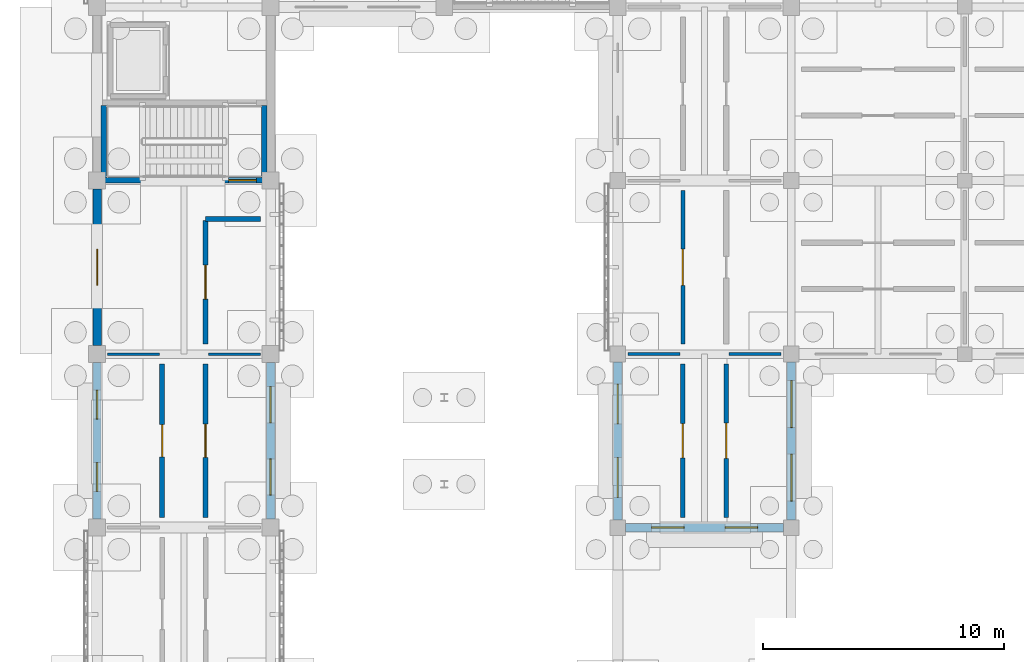
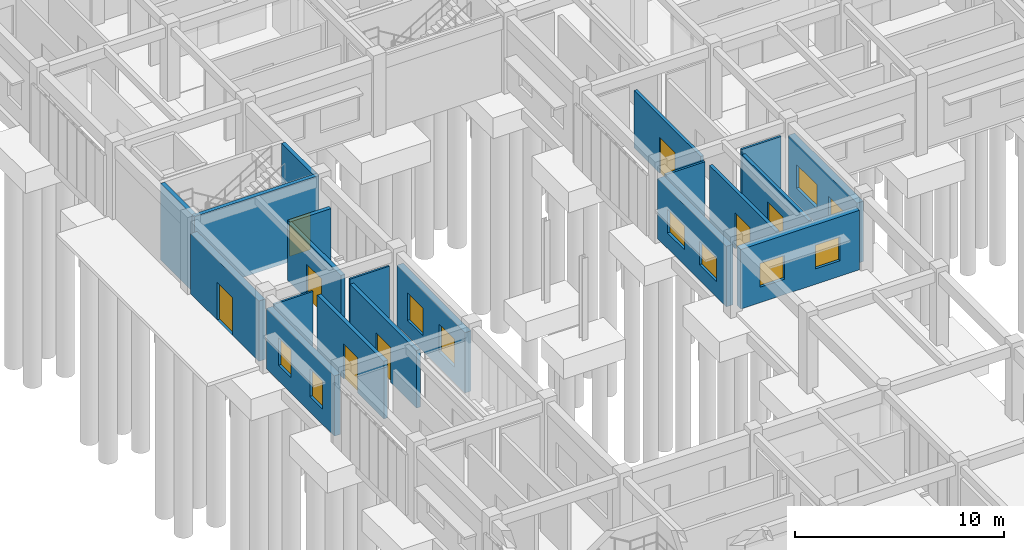
# One storey, part 66 of 111: 20 walls, 10 windows, 8 doors, 18 openings.
"""IFC4 building model written with IfcOpenShell, lengths in metres."""

from ifc_helpers import new_model, si_unit, direction, frame, frame_2d, origin, place, context, subcontext, project, spatial, rectangle, extrude, material, layer, layer_set, type_object, element, fill, save


model = new_model("IFC4")

# Units and contexts
model_context = context("Model", 3, precision=1e-05, world=origin(), true_north=direction((0.0, 1.0)))
body_context = subcontext(model_context, "Body", "Model", "MODEL_VIEW")
ifc_project = project(units=[si_unit("LENGTHUNIT", "METRE"), si_unit("AREAUNIT", "SQUARE_METRE"), si_unit("VOLUMEUNIT", "CUBIC_METRE"), si_unit("PLANEANGLEUNIT", "RADIAN"), si_unit("MASSUNIT", "GRAM", prefix="KILO")], contexts=[model_context])

# Site, building, storey
site_placement = place(None, origin())
site = spatial("IfcSite", under=ifc_project, at=site_placement, CompositionType="ELEMENT")
building_placement = place(site_placement, origin())
building = spatial("IfcBuilding", under=site, at=building_placement, Name="Aldebral Square Health Centre", CompositionType="ELEMENT")
storey_placement = place(building_placement, origin())
storey = spatial("IfcBuildingStorey", under=building, at=storey_placement, Name="L00", CompositionType="ELEMENT", Elevation=0.0)

# Wall, openings, windows
ifc_material_1 = material(Name="Cream cantera stone and concrete wall C35/45", Category="masonry")
ifc_layer_1 = layer(ifc_material_1, 0.340087890625, Name="Cream cantera stone and concrete wall C35/45", Category="masonry")
ifc_layer_set_1 = layer_set([ifc_layer_1], Name="Cream cantera stone and concrete wall C35/45")
wall_type_1 = type_object("IfcWallType", Name="EW-CAN-340", PredefinedType="SOLIDWALL", material=ifc_layer_set_1)
wall_1_placement = place(storey_placement, frame((0.0, 86.050048828125, 0.0), z_axis=(0.0, 0.0, 1.0), x_axis=(0.0, -1.0, 0.0)))
wall_1 = element("IfcWall", 1, at=wall_1_placement, inside=storey, type_object=wall_type_1, Name="L00 V4 exterior wall L00-V4-00-11-W", PredefinedType="SOLIDWALL", context=body_context, shape_type="SweptSolid", body=[
    extrude(rectangle(XDim=6.5, YDim=0.340087890625, at=frame_2d((3.25, 0.0))), origin(), (0.0, 0.0, 1.0), 3.52001953125),
])
opening_1_placement = place(wall_1_placement, frame((1.14990234375, 0.0, 0.89990234375)))
opening_1 = element("IfcOpeningElement", 2, at=opening_1_placement, cuts=wall_1, Name="Opening W30", PredefinedType="OPENING", context=body_context, shape_type="SweptSolid", body=[
    extrude(rectangle(XDim=1.199951171875, YDim=1.6201171875, at=frame_2d((0.60009765625, 0.81005859375))), frame((0.0, 0.18017578125, 0.0), z_axis=(0.0, -1.0, 0.0), x_axis=(1.0, 0.0, 0.0)), (0.0, 0.0, 1.0), 0.360107421875),
])
opening_2_placement = place(wall_1_placement, frame((4.14990234375, 0.0, 0.89990234375)))
opening_2 = element("IfcOpeningElement", 3, at=opening_2_placement, cuts=wall_1, Name="Opening W30", PredefinedType="OPENING", context=body_context, shape_type="SweptSolid", body=[
    extrude(rectangle(XDim=1.199951171875, YDim=1.6201171875, at=frame_2d((0.60009765625, 0.81005859375))), frame((0.0, 0.18017578125, 0.0), z_axis=(0.0, -1.0, 0.0), x_axis=(1.0, 0.0, 0.0)), (0.0, 0.0, 1.0), 0.360107421875),
])
ifc_material_2 = material(Name="Thermally broken aluminium and low-E glass", Category="aluminium")
window_type_1 = type_object("IfcWindowType", Name="WIN-W30", PartitioningType="SINGLE_PANEL", PredefinedType="WINDOW", material=ifc_material_2)
window_1_placement = place(opening_1_placement, origin())
window_1 = element("IfcWindow", 4, at=window_1_placement, inside=storey, type_object=window_type_1, Name="L00 clinical window L00-V4-00-11-W.1", OverallHeight=1.6201171875, OverallWidth=1.199951171875, PartitioningType="SINGLE_PANEL", PredefinedType="WINDOW", context=body_context, shape_type="SweptSolid", body=[
    extrude(rectangle(XDim=1.199951171875, YDim=1.6201171875, at=frame_2d((0.60009765625, 0.81005859375))), frame((0.0, 0.030029296875, 0.0), z_axis=(0.0, -1.0, 0.0), x_axis=(1.0, 0.0, 0.0)), (0.0, 0.0, 1.0), 0.06005859375),
])
fill(opening_1, window_1)
window_2_placement = place(opening_2_placement, origin())
window_2 = element("IfcWindow", 5, at=window_2_placement, inside=storey, type_object=window_type_1, Name="L00 clinical window L00-V4-00-11-W.2", OverallHeight=1.6201171875, OverallWidth=1.199951171875, PartitioningType="SINGLE_PANEL", PredefinedType="WINDOW", context=body_context, shape_type="SweptSolid", body=[
    extrude(rectangle(XDim=1.199951171875, YDim=1.6201171875, at=frame_2d((0.60009765625, 0.81005859375))), frame((0.0, 0.030029296875, 0.0), z_axis=(0.0, -1.0, 0.0), x_axis=(1.0, 0.0, 0.0)), (0.0, 0.0, 1.0), 0.06005859375),
])
fill(opening_2, window_2)

wall_2_placement = place(storey_placement, frame((7.199951171875, 79.550048828125, 0.0), z_axis=(0.0, 0.0, 1.0), x_axis=(0.0, 1.0, 0.0)))
wall_2 = element("IfcWall", 6, at=wall_2_placement, inside=storey, type_object=wall_type_1, Name="L00 V4 exterior wall L00-V4-00-11-E", PredefinedType="SOLIDWALL", context=body_context, shape_type="SweptSolid", body=[
    extrude(rectangle(XDim=6.5, YDim=0.340087890625, at=frame_2d((3.25, 0.0))), origin(), (0.0, 0.0, 1.0), 3.52001953125),
])
opening_3_placement = place(wall_2_placement, frame((1.0, 0.0, 0.89990234375)))
opening_3 = element("IfcOpeningElement", 7, at=opening_3_placement, cuts=wall_2, Name="Opening W32", PredefinedType="OPENING", context=body_context, shape_type="SweptSolid", body=[
    extrude(rectangle(XDim=1.5, YDim=1.6201171875, at=frame_2d((0.75, 0.81005859375))), frame((0.0, 0.18017578125, 0.0), z_axis=(0.0, -1.0, 0.0), x_axis=(1.0, 0.0, 0.0)), (0.0, 0.0, 1.0), 0.360107421875),
])
opening_4_placement = place(wall_2_placement, frame((4.0, 0.0, 0.89990234375)))
opening_4 = element("IfcOpeningElement", 8, at=opening_4_placement, cuts=wall_2, Name="Opening W32", PredefinedType="OPENING", context=body_context, shape_type="SweptSolid", body=[
    extrude(rectangle(XDim=1.5, YDim=1.6201171875, at=frame_2d((0.75, 0.81005859375))), frame((0.0, 0.18017578125, 0.0), z_axis=(0.0, -1.0, 0.0), x_axis=(1.0, 0.0, 0.0)), (0.0, 0.0, 1.0), 0.360107421875),
])
window_type_2 = type_object("IfcWindowType", Name="WIN-W32", PartitioningType="SINGLE_PANEL", PredefinedType="WINDOW", material=ifc_material_2)
window_3_placement = place(opening_3_placement, origin())
window_3 = element("IfcWindow", 9, at=window_3_placement, inside=storey, type_object=window_type_2, Name="L00 clinical window L00-V4-00-11-E.1", OverallHeight=1.6201171875, OverallWidth=1.5, PartitioningType="SINGLE_PANEL", PredefinedType="WINDOW", context=body_context, shape_type="SweptSolid", body=[
    extrude(rectangle(XDim=1.5, YDim=1.6201171875, at=frame_2d((0.75, 0.81005859375))), frame((0.0, 0.030029296875, 0.0), z_axis=(0.0, -1.0, 0.0), x_axis=(1.0, 0.0, 0.0)), (0.0, 0.0, 1.0), 0.06005859375),
])
fill(opening_3, window_3)
window_4_placement = place(opening_4_placement, origin())
window_4 = element("IfcWindow", 10, at=window_4_placement, inside=storey, type_object=window_type_2, Name="L00 clinical window L00-V4-00-11-E.2", OverallHeight=1.6201171875, OverallWidth=1.5, PartitioningType="SINGLE_PANEL", PredefinedType="WINDOW", context=body_context, shape_type="SweptSolid", body=[
    extrude(rectangle(XDim=1.5, YDim=1.6201171875, at=frame_2d((0.75, 0.81005859375))), frame((0.0, 0.030029296875, 0.0), z_axis=(0.0, -1.0, 0.0), x_axis=(1.0, 0.0, 0.0)), (0.0, 0.0, 1.0), 0.06005859375),
])
fill(opening_4, window_4)

# Wall, opening, door
ifc_layer_2 = layer(ifc_material_1, 0.360107421875, Name="Cream cantera stone and concrete wall C35/45", Category="masonry")
ifc_layer_set_2 = layer_set([ifc_layer_2], Name="Cream cantera stone and concrete wall C35/45")
wall_type_2 = type_object("IfcWallType", Name="EW-CAN-360", PredefinedType="SOLIDWALL", material=ifc_layer_set_2)
wall_3_placement = place(storey_placement, frame((0.0, 86.75, 0.0), z_axis=(0.0, 0.0, 1.0), x_axis=(0.0, 1.0, 0.0)))
wall_3 = element("IfcWall", 11, at=wall_3_placement, inside=storey, type_object=wall_type_2, Name="L00 V4 exterior wall L00-V4-00-12-W", PredefinedType="SOLIDWALL", context=body_context, shape_type="SweptSolid", body=[
    extrude(rectangle(XDim=6.5, YDim=0.360107421875, at=frame_2d((3.25, 0.0))), origin(), (0.0, 0.0, 1.0), 3.52001953125),
])
opening_5_placement = place(wall_3_placement, frame((2.5, 0.0, 0.0)))
opening_5 = element("IfcOpeningElement", 12, at=opening_5_placement, cuts=wall_3, Name="Opening D-EX04", PredefinedType="OPENING", context=body_context, shape_type="SweptSolid", body=[
    extrude(rectangle(XDim=1.5, YDim=2.199951171875, at=frame_2d((0.75, 1.10009765625))), frame((0.0, 0.18994140625, 0.0), z_axis=(0.0, -1.0, 0.0), x_axis=(1.0, 0.0, 0.0)), (0.0, 0.0, 1.0), 0.380126953125),
])
ifc_material_3 = material(Name="Anodised aluminium and laminated safety glass", Category="aluminium")
door_type_1 = type_object("IfcDoorType", Name="DR-EX-150", OperationType="DOUBLE_DOOR_SINGLE_SWING", PredefinedType="DOOR", material=ifc_material_3)
door_1_placement = place(opening_5_placement, origin())
door_1 = element("IfcDoor", 13, at=door_1_placement, inside=storey, type_object=door_type_1, Name="L00 exterior door D-EX04", OperationType="DOUBLE_DOOR_SINGLE_SWING", OverallHeight=2.199951171875, OverallWidth=1.5, PredefinedType="DOOR", context=body_context, shape_type="SweptSolid", body=[
    extrude(rectangle(XDim=1.5, YDim=2.199951171875, at=frame_2d((0.75, 1.10009765625))), frame((0.0, 0.02490234375, 0.0), z_axis=(0.0, -1.0, 0.0), x_axis=(1.0, 0.0, 0.0)), (0.0, 0.0, 1.0), 0.050048828125),
])
fill(opening_5, door_1)

# Wall, openings, windows
wall_4_placement = place(storey_placement, frame((21.925048828125, 79.199951171875, 0.0), z_axis=(0.0, 0.0, 1.0), x_axis=(1.0, 0.0, 0.0)))
wall_4 = element("IfcWall", 14, at=wall_4_placement, inside=storey, type_object=wall_type_2, Name="L00 V4 exterior wall L00-V4-03-11-S", PredefinedType="SOLIDWALL", context=body_context, shape_type="SweptSolid", body=[
    extrude(rectangle(XDim=6.550048828125, YDim=0.360107421875, at=frame_2d((3.27490234375, 0.0))), origin(), (0.0, 0.0, 1.0), 3.469970703125),
])
opening_6_placement = place(wall_4_placement, frame((1.074951171875, 0.0, 0.89990234375)))
opening_6 = element("IfcOpeningElement", 15, at=opening_6_placement, cuts=wall_4, Name="Opening W13", PredefinedType="OPENING", context=body_context, shape_type="SweptSolid", body=[
    extrude(rectangle(XDim=1.35009765625, YDim=1.3798828125, at=frame_2d((0.675048828125, 0.68994140625))), frame((0.0, 0.18994140625, 0.0), z_axis=(0.0, -1.0, 0.0), x_axis=(1.0, 0.0, 0.0)), (0.0, 0.0, 1.0), 0.380126953125),
])
opening_7_placement = place(wall_4_placement, frame((4.125, 0.0, 0.89990234375)))
opening_7 = element("IfcOpeningElement", 16, at=opening_7_placement, cuts=wall_4, Name="Opening W13", PredefinedType="OPENING", context=body_context, shape_type="SweptSolid", body=[
    extrude(rectangle(XDim=1.35009765625, YDim=1.3798828125, at=frame_2d((0.675048828125, 0.68994140625))), frame((0.0, 0.18994140625, 0.0), z_axis=(0.0, -1.0, 0.0), x_axis=(1.0, 0.0, 0.0)), (0.0, 0.0, 1.0), 0.380126953125),
])
window_type_3 = type_object("IfcWindowType", Name="WIN-W13", PartitioningType="SINGLE_PANEL", PredefinedType="WINDOW", material=ifc_material_2)
window_5_placement = place(opening_6_placement, origin())
window_5 = element("IfcWindow", 17, at=window_5_placement, inside=storey, type_object=window_type_3, Name="L00 clinical window L00-V4-03-11-S.1", OverallHeight=1.3798828125, OverallWidth=1.35009765625, PartitioningType="SINGLE_PANEL", PredefinedType="WINDOW", context=body_context, shape_type="SweptSolid", body=[
    extrude(rectangle(XDim=1.35009765625, YDim=1.3798828125, at=frame_2d((0.675048828125, 0.68994140625))), frame((0.0, 0.030029296875, 0.0), z_axis=(0.0, -1.0, 0.0), x_axis=(1.0, 0.0, 0.0)), (0.0, 0.0, 1.0), 0.06005859375),
])
fill(opening_6, window_5)
window_6_placement = place(opening_7_placement, origin())
window_6 = element("IfcWindow", 18, at=window_6_placement, inside=storey, type_object=window_type_3, Name="L00 clinical window L00-V4-03-11-S.2", OverallHeight=1.3798828125, OverallWidth=1.35009765625, PartitioningType="SINGLE_PANEL", PredefinedType="WINDOW", context=body_context, shape_type="SweptSolid", body=[
    extrude(rectangle(XDim=1.35009765625, YDim=1.3798828125, at=frame_2d((0.675048828125, 0.68994140625))), frame((0.0, 0.030029296875, 0.0), z_axis=(0.0, -1.0, 0.0), x_axis=(1.0, 0.0, 0.0)), (0.0, 0.0, 1.0), 0.06005859375),
])
fill(opening_7, window_6)

wall_5_placement = place(storey_placement, frame((21.60009765625, 86.074951171875, 0.0), z_axis=(0.0, 0.0, 1.0), x_axis=(0.0, -1.0, 0.0)))
wall_5 = element("IfcWall", 19, at=wall_5_placement, inside=storey, type_object=wall_type_2, Name="L00 V4 exterior wall L00-V4-03-11-W", PredefinedType="SOLIDWALL", context=body_context, shape_type="SweptSolid", body=[
    extrude(rectangle(XDim=6.550048828125, YDim=0.360107421875, at=frame_2d((3.27490234375, 0.0))), origin(), (0.0, 0.0, 1.0), 3.52001953125),
])
opening_8_placement = place(wall_5_placement, frame((0.925048828125, 0.0, 0.89990234375)))
opening_8 = element("IfcOpeningElement", 20, at=opening_8_placement, cuts=wall_5, Name="Opening W15", PredefinedType="OPENING", context=body_context, shape_type="SweptSolid", body=[
    extrude(rectangle(XDim=1.64990234375, YDim=1.3798828125, at=frame_2d((0.824951171875, 0.68994140625))), frame((0.0, 0.18994140625, 0.0), z_axis=(0.0, -1.0, 0.0), x_axis=(1.0, 0.0, 0.0)), (0.0, 0.0, 1.0), 0.380126953125),
])
opening_9_placement = place(wall_5_placement, frame((3.97509765625, 0.0, 0.89990234375)))
opening_9 = element("IfcOpeningElement", 21, at=opening_9_placement, cuts=wall_5, Name="Opening W15", PredefinedType="OPENING", context=body_context, shape_type="SweptSolid", body=[
    extrude(rectangle(XDim=1.64990234375, YDim=1.3798828125, at=frame_2d((0.824951171875, 0.68994140625))), frame((0.0, 0.18994140625, 0.0), z_axis=(0.0, -1.0, 0.0), x_axis=(1.0, 0.0, 0.0)), (0.0, 0.0, 1.0), 0.380126953125),
])
window_type_4 = type_object("IfcWindowType", Name="WIN-W15", PartitioningType="SINGLE_PANEL", PredefinedType="WINDOW", material=ifc_material_2)
window_7_placement = place(opening_8_placement, origin())
window_7 = element("IfcWindow", 22, at=window_7_placement, inside=storey, type_object=window_type_4, Name="L00 clinical window L00-V4-03-11-W.1", OverallHeight=1.3798828125, OverallWidth=1.64990234375, PartitioningType="SINGLE_PANEL", PredefinedType="WINDOW", context=body_context, shape_type="SweptSolid", body=[
    extrude(rectangle(XDim=1.64990234375, YDim=1.3798828125, at=frame_2d((0.824951171875, 0.68994140625))), frame((0.0, 0.030029296875, 0.0), z_axis=(0.0, -1.0, 0.0), x_axis=(1.0, 0.0, 0.0)), (0.0, 0.0, 1.0), 0.06005859375),
])
fill(opening_8, window_7)
window_8_placement = place(opening_9_placement, origin())
window_8 = element("IfcWindow", 23, at=window_8_placement, inside=storey, type_object=window_type_4, Name="L00 clinical window L00-V4-03-11-W.2", OverallHeight=1.3798828125, OverallWidth=1.64990234375, PartitioningType="SINGLE_PANEL", PredefinedType="WINDOW", context=body_context, shape_type="SweptSolid", body=[
    extrude(rectangle(XDim=1.64990234375, YDim=1.3798828125, at=frame_2d((0.824951171875, 0.68994140625))), frame((0.0, 0.030029296875, 0.0), z_axis=(0.0, -1.0, 0.0), x_axis=(1.0, 0.0, 0.0)), (0.0, 0.0, 1.0), 0.06005859375),
])
fill(opening_9, window_8)

wall_6_placement = place(storey_placement, frame((28.800048828125, 79.52490234375, 0.0), z_axis=(0.0, 0.0, 1.0), x_axis=(0.0, 1.0, 0.0)))
wall_6 = element("IfcWall", 24, at=wall_6_placement, inside=storey, type_object=wall_type_2, Name="L00 V4 exterior wall L00-V4-03-11-E", PredefinedType="SOLIDWALL", context=body_context, shape_type="SweptSolid", body=[
    extrude(rectangle(XDim=6.550048828125, YDim=0.360107421875, at=frame_2d((3.27490234375, 0.0))), origin(), (0.0, 0.0, 1.0), 3.52001953125),
])
opening_10_placement = place(wall_6_placement, frame((0.77490234375, 0.0, 0.89990234375)))
opening_10 = element("IfcOpeningElement", 25, at=opening_10_placement, cuts=wall_6, Name="Opening W17", PredefinedType="OPENING", context=body_context, shape_type="SweptSolid", body=[
    extrude(rectangle(XDim=1.949951171875, YDim=1.3798828125, at=frame_2d((0.97509765625, 0.68994140625))), frame((0.0, 0.18994140625, 0.0), z_axis=(0.0, -1.0, 0.0), x_axis=(1.0, 0.0, 0.0)), (0.0, 0.0, 1.0), 0.380126953125),
])
opening_11_placement = place(wall_6_placement, frame((3.824951171875, 0.0, 0.89990234375)))
opening_11 = element("IfcOpeningElement", 26, at=opening_11_placement, cuts=wall_6, Name="Opening W17", PredefinedType="OPENING", context=body_context, shape_type="SweptSolid", body=[
    extrude(rectangle(XDim=1.949951171875, YDim=1.3798828125, at=frame_2d((0.97509765625, 0.68994140625))), frame((0.0, 0.18994140625, 0.0), z_axis=(0.0, -1.0, 0.0), x_axis=(1.0, 0.0, 0.0)), (0.0, 0.0, 1.0), 0.380126953125),
])
window_type_5 = type_object("IfcWindowType", Name="WIN-W17", PartitioningType="SINGLE_PANEL", PredefinedType="WINDOW", material=ifc_material_2)
window_9_placement = place(opening_10_placement, origin())
window_9 = element("IfcWindow", 27, at=window_9_placement, inside=storey, type_object=window_type_5, Name="L00 clinical window L00-V4-03-11-E.1", OverallHeight=1.3798828125, OverallWidth=1.949951171875, PartitioningType="SINGLE_PANEL", PredefinedType="WINDOW", context=body_context, shape_type="SweptSolid", body=[
    extrude(rectangle(XDim=1.949951171875, YDim=1.3798828125, at=frame_2d((0.97509765625, 0.68994140625))), frame((0.0, 0.030029296875, 0.0), z_axis=(0.0, -1.0, 0.0), x_axis=(1.0, 0.0, 0.0)), (0.0, 0.0, 1.0), 0.06005859375),
])
fill(opening_10, window_9)
window_10_placement = place(opening_11_placement, origin())
window_10 = element("IfcWindow", 28, at=window_10_placement, inside=storey, type_object=window_type_5, Name="L00 clinical window L00-V4-03-11-E.2", OverallHeight=1.3798828125, OverallWidth=1.949951171875, PartitioningType="SINGLE_PANEL", PredefinedType="WINDOW", context=body_context, shape_type="SweptSolid", body=[
    extrude(rectangle(XDim=1.949951171875, YDim=1.3798828125, at=frame_2d((0.97509765625, 0.68994140625))), frame((0.0, 0.030029296875, 0.0), z_axis=(0.0, -1.0, 0.0), x_axis=(1.0, 0.0, 0.0)), (0.0, 0.0, 1.0), 0.06005859375),
])
fill(opening_11, window_10)

# Wall, opening, door
ifc_material_4 = material(Name="Concrete C35/45 compartment wall", Category="concrete")
ifc_layer_3 = layer(ifc_material_4, 0.219970703125, Name="Concrete C35/45 compartment wall", Category="concrete")
ifc_layer_set_3 = layer_set([ifc_layer_3], Name="Concrete C35/45 compartment wall")
wall_type_3 = type_object("IfcWallType", Name="IW-CMP-220", PredefinedType="SOLIDWALL", material=ifc_layer_set_3)
wall_7_placement = place(storey_placement, frame((4.5, 86.820068359375, 0.0), z_axis=(0.0, 0.0, 1.0), x_axis=(0.0, 1.0, 0.0)))
wall_7 = element("IfcWall", 29, at=wall_7_placement, inside=storey, type_object=wall_type_3, Name="L00 General Consulting Room 1.13E corridor wall", PredefinedType="SOLIDWALL", context=body_context, shape_type="SweptSolid", body=[
    extrude(rectangle(XDim=5.1298828125, YDim=0.219970703125, at=frame_2d((2.56494140625, 0.0))), origin(), (0.0, 0.0, 1.0), 3.360107421875),
])
opening_12_placement = place(wall_7_placement, frame((1.85498046875, 0.0, 0.0)))
opening_12 = element("IfcOpeningElement", 30, at=opening_12_placement, cuts=wall_7, Name="Opening D-0097", PredefinedType="OPENING", context=body_context, shape_type="SweptSolid", body=[
    extrude(rectangle(XDim=1.419921875, YDim=2.0400390625, at=frame_2d((0.7099609375, 1.02001953125))), frame((0.0, 0.1201171875, 0.0), z_axis=(0.0, -1.0, 0.0), x_axis=(1.0, 0.0, 0.0)), (0.0, 0.0, 1.0), 0.239990234375),
])
ifc_material_5 = material(Name="Clinical suite fire door")
door_type_2 = type_object("IfcDoorType", Name="ID-EXD-13", OperationType="NOTDEFINED", PredefinedType="DOOR", material=ifc_material_5)
door_2_placement = place(opening_12_placement, origin())
door_2 = element("IfcDoor", 31, at=door_2_placement, inside=storey, type_object=door_type_2, Name="L00 General Consulting Room 1.13E door", OperationType="SINGLE_SWING_RIGHT", OverallHeight=2.0400390625, OverallWidth=1.419921875, PredefinedType="DOOR", context=body_context, shape_type="SweptSolid", body=[
    extrude(rectangle(XDim=1.419921875, YDim=2.0400390625, at=frame_2d((0.7099609375, 1.02001953125))), frame((0.0, 0.02490234375, 0.0), z_axis=(0.0, -1.0, 0.0), x_axis=(1.0, 0.0, 0.0)), (0.0, 0.0, 1.0), 0.050048828125),
])
fill(opening_12, door_2)

ifc_material_6 = material(Name="Fire-rated acoustic gypsum partition")
ifc_layer_4 = layer(ifc_material_6, 0.1650390625, Name="Fire-rated acoustic gypsum partition")
ifc_layer_set_4 = layer_set([ifc_layer_4], Name="Fire-rated acoustic gypsum partition")
wall_type_4 = type_object("IfcWallType", Name="IW-COR-165", PredefinedType="PARTITIONING", material=ifc_layer_set_4)
wall_8_placement = place(storey_placement, frame((24.300048828125, 86.820068359375, 0.0), z_axis=(0.0, 0.0, 1.0), x_axis=(0.0, 1.0, 0.0)))
wall_8 = element("IfcWall", 32, at=wall_8_placement, inside=storey, type_object=wall_type_4, Name="L00 Clean Clinical Store 4.13W corridor wall", PredefinedType="PARTITIONING", context=body_context, shape_type="SweptSolid", body=[
    extrude(rectangle(XDim=6.35986328125, YDim=0.1650390625, at=frame_2d((3.179931640625, 0.0))), origin(), (0.0, 0.0, 1.0), 3.360107421875),
])
opening_13_placement = place(wall_8_placement, frame((2.429931640625, 0.0, 0.0)))
opening_13 = element("IfcOpeningElement", 33, at=opening_13_placement, cuts=wall_8, Name="Opening D-0115", PredefinedType="OPENING", context=body_context, shape_type="SweptSolid", body=[
    extrude(rectangle(XDim=1.5, YDim=2.090087890625, at=frame_2d((0.75, 1.044921875))), frame((0.0, 0.092529296875, 0.0), z_axis=(0.0, -1.0, 0.0), x_axis=(1.0, 0.0, 0.0)), (0.0, 0.0, 1.0), 0.18505859375),
])
door_type_3 = type_object("IfcDoorType", Name="ID-EXD-31", OperationType="NOTDEFINED", PredefinedType="DOOR", material=ifc_material_5)
door_3_placement = place(opening_13_placement, origin())
door_3 = element("IfcDoor", 34, at=door_3_placement, inside=storey, type_object=door_type_3, Name="L00 Clean Clinical Store 4.13W door", OperationType="SINGLE_SWING_RIGHT", OverallHeight=2.090087890625, OverallWidth=1.5, PredefinedType="DOOR", context=body_context, shape_type="SweptSolid", body=[
    extrude(rectangle(XDim=1.5, YDim=2.090087890625, at=frame_2d((0.75, 1.044921875))), frame((0.0, 0.02490234375, 0.0), z_axis=(0.0, -1.0, 0.0), x_axis=(1.0, 0.0, 0.0)), (0.0, 0.0, 1.0), 0.050048828125),
])
fill(opening_13, door_3)

ifc_layer_5 = layer(ifc_material_6, 0.179931640625, Name="Fire-rated acoustic gypsum partition")
ifc_layer_set_5 = layer_set([ifc_layer_5], Name="Fire-rated acoustic gypsum partition")
wall_type_5 = type_object("IfcWallType", Name="IW-COR-180", PredefinedType="PARTITIONING", material=ifc_layer_set_5)
wall_9_placement = place(storey_placement, frame((24.300048828125, 79.6201171875, 0.0), z_axis=(0.0, 0.0, 1.0), x_axis=(0.0, 1.0, 0.0)))
wall_9 = element("IfcWall", 35, at=wall_9_placement, inside=storey, type_object=wall_type_5, Name="L00 Vaccination Room 4.12W corridor wall", PredefinedType="PARTITIONING", context=body_context, shape_type="SweptSolid", body=[
    extrude(rectangle(XDim=6.35986328125, YDim=0.179931640625, at=frame_2d((3.179931640625, 0.0))), origin(), (0.0, 0.0, 1.0), 3.360107421875),
])
opening_14_placement = place(wall_9_placement, frame((2.469970703125, 0.0, 0.0)))
opening_14 = element("IfcOpeningElement", 36, at=opening_14_placement, cuts=wall_9, Name="Opening D-0113", PredefinedType="OPENING", context=body_context, shape_type="SweptSolid", body=[
    extrude(rectangle(XDim=1.419921875, YDim=2.090087890625, at=frame_2d((0.7099609375, 1.044921875))), frame((0.0, 0.10009765625, 0.0), z_axis=(0.0, -1.0, 0.0), x_axis=(1.0, 0.0, 0.0)), (0.0, 0.0, 1.0), 0.199951171875),
])
door_type_4 = type_object("IfcDoorType", Name="ID-EXD-29", OperationType="NOTDEFINED", PredefinedType="DOOR", material=ifc_material_5)
door_4_placement = place(opening_14_placement, origin())
door_4 = element("IfcDoor", 37, at=door_4_placement, inside=storey, type_object=door_type_4, Name="L00 Vaccination Room 4.12W door", OperationType="SINGLE_SWING_RIGHT", OverallHeight=2.090087890625, OverallWidth=1.419921875, PredefinedType="DOOR", context=body_context, shape_type="SweptSolid", body=[
    extrude(rectangle(XDim=1.419921875, YDim=2.090087890625, at=frame_2d((0.7099609375, 1.044921875))), frame((0.0, 0.02490234375, 0.0), z_axis=(0.0, -1.0, 0.0), x_axis=(1.0, 0.0, 0.0)), (0.0, 0.0, 1.0), 0.050048828125),
])
fill(opening_14, door_4)

wall_10_placement = place(storey_placement, frame((26.10009765625, 79.6201171875, 0.0), z_axis=(0.0, 0.0, 1.0), x_axis=(0.0, 1.0, 0.0)))
wall_10 = element("IfcWall", 38, at=wall_10_placement, inside=storey, type_object=wall_type_5, Name="L00 Triage Nurse Station 4.12E corridor wall", PredefinedType="PARTITIONING", context=body_context, shape_type="SweptSolid", body=[
    extrude(rectangle(XDim=6.35986328125, YDim=0.179931640625, at=frame_2d((3.179931640625, 0.0))), origin(), (0.0, 0.0, 1.0), 3.360107421875),
])
opening_15_placement = place(wall_10_placement, frame((2.449951171875, 0.0, 0.0)))
opening_15 = element("IfcOpeningElement", 39, at=opening_15_placement, cuts=wall_10, Name="Opening D-0114", PredefinedType="OPENING", context=body_context, shape_type="SweptSolid", body=[
    extrude(rectangle(XDim=1.4599609375, YDim=2.090087890625, at=frame_2d((0.72998046875, 1.044921875))), frame((0.0, 0.10009765625, 0.0), z_axis=(0.0, -1.0, 0.0), x_axis=(1.0, 0.0, 0.0)), (0.0, 0.0, 1.0), 0.199951171875),
])
door_type_5 = type_object("IfcDoorType", Name="ID-EXD-30", OperationType="NOTDEFINED", PredefinedType="DOOR", material=ifc_material_5)
door_5_placement = place(opening_15_placement, origin())
door_5 = element("IfcDoor", 40, at=door_5_placement, inside=storey, type_object=door_type_5, Name="L00 Triage Nurse Station 4.12E door", OperationType="SINGLE_SWING_LEFT", OverallHeight=2.090087890625, OverallWidth=1.4599609375, PredefinedType="DOOR", context=body_context, shape_type="SweptSolid", body=[
    extrude(rectangle(XDim=1.4599609375, YDim=2.090087890625, at=frame_2d((0.72998046875, 1.044921875))), frame((0.0, 0.02490234375, 0.0), z_axis=(0.0, -1.0, 0.0), x_axis=(1.0, 0.0, 0.0)), (0.0, 0.0, 1.0), 0.050048828125),
])
fill(opening_15, door_5)

ifc_material_7 = material(Name="Concrete C40/50", Category="concrete")
ifc_layer_6 = layer(ifc_material_7, 0.219970703125, Name="Concrete C40/50", Category="concrete")
ifc_layer_set_6 = layer_set([ifc_layer_6], Name="Concrete C40/50")
wall_type_6 = type_object("IfcWallType", Name="IW-CORE-280", PredefinedType="SHEAR", material=ifc_layer_set_6)
wall_11_placement = place(storey_placement, frame((0.159912109375, 93.610107421875, -0.25), z_axis=(0.0, 0.0, 1.0), x_axis=(1.0, 0.0, 0.0)))
wall_11 = element("IfcWall", 41, at=wall_11_placement, inside=storey, type_object=wall_type_6, Name="L00 WC-C1 shaft wall S", PredefinedType="SHEAR", context=body_context, shape_type="SweptSolid", body=[
    extrude(rectangle(XDim=6.880126953125, YDim=0.219970703125, at=frame_2d((3.43994140625, 0.0))), origin(), (0.0, 0.0, 1.0), 4.469970703125),
])
opening_16_placement = place(wall_11_placement, frame((5.300048828125, 0.0, 0.25)))
opening_16 = element("IfcOpeningElement", 42, at=opening_16_placement, cuts=wall_11, Name="Opening D-FD90-3", PredefinedType="OPENING", context=body_context, shape_type="SweptSolid", body=[
    extrude(rectangle(XDim=1.14990234375, YDim=2.14990234375, at=frame_2d((0.574951171875, 1.074951171875))), frame((0.0, 0.1201171875, 0.0), z_axis=(0.0, -1.0, 0.0), x_axis=(1.0, 0.0, 0.0)), (0.0, 0.0, 1.0), 0.239990234375),
])
ifc_material_8 = material(Name="Fire-rated steel lobby stair door", Category="steel")
door_type_6 = type_object("IfcDoorType", Name="ID-ST-115", OperationType="NOTDEFINED", PredefinedType="DOOR", material=ifc_material_8)
door_6_placement = place(opening_16_placement, origin())
door_6 = element("IfcDoor", 43, at=door_6_placement, inside=storey, type_object=door_type_6, Name="L00 ST-01 south lobby fire door", OperationType="SINGLE_SWING_LEFT", OverallHeight=2.14990234375, OverallWidth=1.14990234375, PredefinedType="DOOR", context=body_context, shape_type="SweptSolid", body=[
    extrude(rectangle(XDim=1.14990234375, YDim=2.14990234375, at=frame_2d((0.574951171875, 1.074951171875))), frame((0.0, 0.02490234375, 0.0), z_axis=(0.0, -1.0, 0.0), x_axis=(1.0, 0.0, 0.0)), (0.0, 0.0, 1.0), 0.050048828125),
])
fill(opening_16, door_6)

# Walls
for number, where, z_axis, x_axis, name in (
    (44, (0.27001953125, 93.719970703125, -0.25), (0.0, 0.0, 1.0), (0.0, 1.0, 0.0), "L00 WC-C1 shaft wall W"),
    (45, (6.929931640625, 93.719970703125, -0.25), (0.0, 0.0, 1.0), (0.0, 1.0, 0.0), "L00 WC-C1 shaft wall E"),
):
    element("IfcWall", number, at=place(storey_placement, frame(where, z_axis=z_axis, x_axis=x_axis)), inside=storey, type_object=wall_type_6, Name=name, PredefinedType="SHEAR", context=body_context, shape_type="SweptSolid", body=[
        extrude(rectangle(XDim=3.0, YDim=0.219970703125, at=frame_2d((1.5, 0.0))), origin(), (0.0, 0.0, 1.0), 4.469970703125),
    ])

# Wall, opening, door
ifc_material_9 = material(Name="Moisture-resistant sanitary chase wall")
ifc_layer_7 = layer(ifc_material_9, 0.2099609375, Name="Moisture-resistant sanitary chase wall")
ifc_layer_set_7 = layer_set([ifc_layer_7], Name="Moisture-resistant sanitary chase wall")
wall_type_7 = type_object("IfcWallType", Name="IW-PLB-210", PredefinedType="PLUMBINGWALL", material=ifc_layer_set_7)
wall_12_placement = place(storey_placement, frame((2.699951171875, 79.6201171875, 0.0), z_axis=(0.0, 0.0, 1.0), x_axis=(0.0, 1.0, 0.0)))
wall_12 = element("IfcWall", 46, at=wall_12_placement, inside=storey, type_object=wall_type_7, Name="L00 Accessible WC 1.12W corridor wall", PredefinedType="PLUMBINGWALL", context=body_context, shape_type="SweptSolid", body=[
    extrude(rectangle(XDim=6.35986328125, YDim=0.2099609375, at=frame_2d((3.179931640625, 0.0))), origin(), (0.0, 0.0, 1.0), 3.360107421875),
])
opening_17_placement = place(wall_12_placement, frame((2.510009765625, 0.0, 0.0)))
opening_17 = element("IfcOpeningElement", 47, at=opening_17_placement, cuts=wall_12, Name="Opening D-0095", PredefinedType="OPENING", context=body_context, shape_type="SweptSolid", body=[
    extrude(rectangle(XDim=1.340087890625, YDim=2.0400390625, at=frame_2d((0.669921875, 1.02001953125))), frame((0.0, 0.114990234375, 0.0), z_axis=(0.0, -1.0, 0.0), x_axis=(1.0, 0.0, 0.0)), (0.0, 0.0, 1.0), 0.22998046875),
])
door_type_7 = type_object("IfcDoorType", Name="ID-EXD-11", OperationType="NOTDEFINED", PredefinedType="DOOR", material=ifc_material_5)
door_7_placement = place(opening_17_placement, origin())
door_7 = element("IfcDoor", 48, at=door_7_placement, inside=storey, type_object=door_type_7, Name="L00 Accessible WC 1.12W door", OperationType="SINGLE_SWING_RIGHT", OverallHeight=2.0400390625, OverallWidth=1.340087890625, PredefinedType="DOOR", context=body_context, shape_type="SweptSolid", body=[
    extrude(rectangle(XDim=1.340087890625, YDim=2.0400390625, at=frame_2d((0.669921875, 1.02001953125))), frame((0.0, 0.02490234375, 0.0), z_axis=(0.0, -1.0, 0.0), x_axis=(1.0, 0.0, 0.0)), (0.0, 0.0, 1.0), 0.050048828125),
])
fill(opening_17, door_7)

wall_13_placement = place(storey_placement, frame((4.5, 79.6201171875, 0.0), z_axis=(0.0, 0.0, 1.0), x_axis=(0.0, 1.0, 0.0)))
wall_13 = element("IfcWall", 49, at=wall_13_placement, inside=storey, type_object=wall_type_7, Name="L00 Patient Toilet 1.12E corridor wall", PredefinedType="PLUMBINGWALL", context=body_context, shape_type="SweptSolid", body=[
    extrude(rectangle(XDim=6.35986328125, YDim=0.2099609375, at=frame_2d((3.179931640625, 0.0))), origin(), (0.0, 0.0, 1.0), 3.360107421875),
])
opening_18_placement = place(wall_13_placement, frame((2.489990234375, 0.0, 0.0)))
opening_18 = element("IfcOpeningElement", 50, at=opening_18_placement, cuts=wall_13, Name="Opening D-0096", PredefinedType="OPENING", context=body_context, shape_type="SweptSolid", body=[
    extrude(rectangle(XDim=1.3798828125, YDim=2.0400390625, at=frame_2d((0.68994140625, 1.02001953125))), frame((0.0, 0.114990234375, 0.0), z_axis=(0.0, -1.0, 0.0), x_axis=(1.0, 0.0, 0.0)), (0.0, 0.0, 1.0), 0.22998046875),
])
door_type_8 = type_object("IfcDoorType", Name="ID-EXD-12", OperationType="NOTDEFINED", PredefinedType="DOOR", material=ifc_material_5)
door_8_placement = place(opening_18_placement, origin())
door_8 = element("IfcDoor", 51, at=door_8_placement, inside=storey, type_object=door_type_8, Name="L00 Patient Toilet 1.12E door", OperationType="SINGLE_SWING_LEFT", OverallHeight=2.0400390625, OverallWidth=1.3798828125, PredefinedType="DOOR", context=body_context, shape_type="SweptSolid", body=[
    extrude(rectangle(XDim=1.3798828125, YDim=2.0400390625, at=frame_2d((0.68994140625, 1.02001953125))), frame((0.0, 0.02490234375, 0.0), z_axis=(0.0, -1.0, 0.0), x_axis=(1.0, 0.0, 0.0)), (0.0, 0.0, 1.0), 0.050048828125),
])
fill(opening_18, door_8)

# Walls
wall_14_placement = place(storey_placement, frame((4.5, 92.0, 0.0), z_axis=(0.0, 0.0, 1.0), x_axis=(1.0, 0.0, 0.0)))
element("IfcWall", 52, at=wall_14_placement, inside=storey, type_object=wall_type_7, Name="L00 General Consulting Room 1.13E lobby return wall", PredefinedType="PLUMBINGWALL", context=body_context, shape_type="SweptSolid", body=[
    extrude(rectangle(XDim=2.280029296875, YDim=0.2099609375, at=frame_2d((1.14013671875, 0.0))), origin(), (0.0, 0.0, 1.0), 3.360107421875),
])
ifc_material_10 = material(Name="Lightweight clinical partition")
ifc_layer_8 = layer(ifc_material_10, 0.10498046875, Name="Lightweight clinical partition")
ifc_layer_set_8 = layer_set([ifc_layer_8], Name="Lightweight clinical partition")
wall_type_8 = type_object("IfcWallType", Name="IW-PRT-105", PredefinedType="PARTITIONING", material=ifc_layer_set_8)
wall_15_placement = place(storey_placement, frame((0.419921875, 86.39990234375, 0.0), z_axis=(0.0, 0.0, 1.0), x_axis=(1.0, 0.0, 0.0)))
element("IfcWall", 53, at=wall_15_placement, inside=storey, type_object=wall_type_8, Name="L00 Accessible WC 1.12W demising partition", PredefinedType="PARTITIONING", context=body_context, shape_type="SweptSolid", body=[
    extrude(rectangle(XDim=2.16015625, YDim=0.10498046875, at=frame_2d((1.080078125, 0.0))), origin(), (0.0, 0.0, 1.0), 3.360107421875),
])
wall_16_placement = place(storey_placement, frame((4.6201171875, 86.39990234375, 0.0), z_axis=(0.0, 0.0, 1.0), x_axis=(1.0, 0.0, 0.0)))
element("IfcWall", 54, at=wall_16_placement, inside=storey, type_object=wall_type_8, Name="L00 Patient Toilet 1.12E demising partition", PredefinedType="PARTITIONING", context=body_context, shape_type="SweptSolid", body=[
    extrude(rectangle(XDim=2.159912109375, YDim=0.10498046875, at=frame_2d((1.080078125, 0.0))), origin(), (0.0, 0.0, 1.0), 3.360107421875),
])
ifc_material_11 = material(Name="Acoustic clinical gypsum partition")
ifc_layer_9 = layer(ifc_material_11, 0.1201171875, Name="Acoustic clinical gypsum partition")
ifc_layer_set_9 = layer_set([ifc_layer_9], Name="Acoustic clinical gypsum partition")
wall_type_9 = type_object("IfcWallType", Name="IW-PRT-120", PredefinedType="PARTITIONING", material=ifc_layer_set_9)
for number, where, z_axis, x_axis, name in (
    (55, (22.02001953125, 86.39990234375, 0.0), (0.0, 0.0, 1.0), (1.0, 0.0, 0.0), "L00 Vaccination Room 4.12W demising partition"),
    (56, (26.219970703125, 86.39990234375, 0.0), (0.0, 0.0, 1.0), (1.0, 0.0, 0.0), "L00 Triage Nurse Station 4.12E demising partition"),
):
    element("IfcWall", number, at=place(storey_placement, frame(where, z_axis=z_axis, x_axis=x_axis)), inside=storey, type_object=wall_type_9, Name=name, PredefinedType="PARTITIONING", context=body_context, shape_type="SweptSolid", body=[
        extrude(rectangle(XDim=2.159912109375, YDim=0.1201171875, at=frame_2d((1.080078125, 0.0))), origin(), (0.0, 0.0, 1.0), 3.360107421875),
    ])

save(model, "model.ifc")
